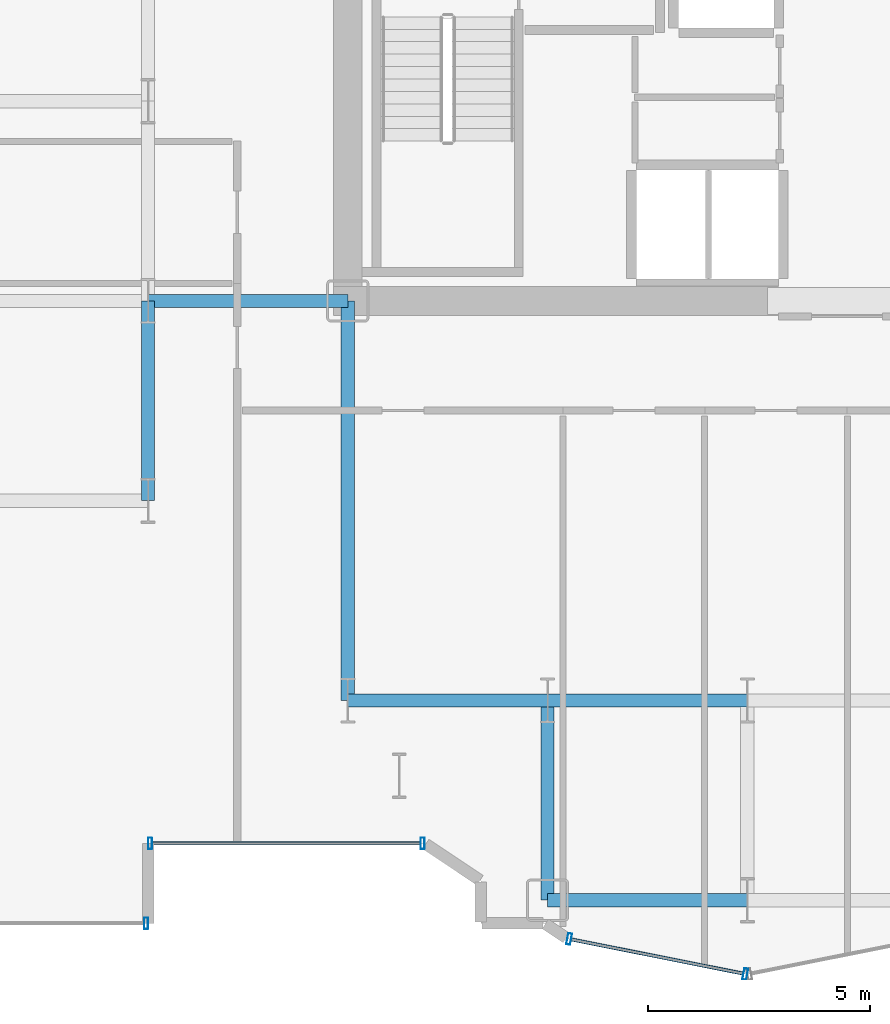
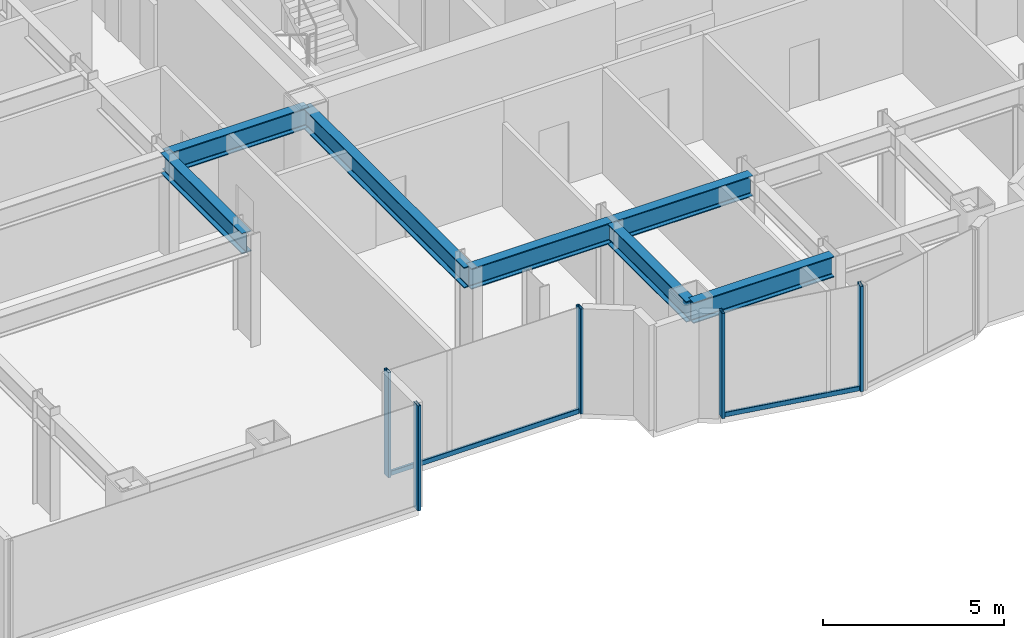
# One storey, part 4 of 25: 7 beams, 7 members, 3 elements without a shape of their own.
"""IFC4 building model written with IfcOpenShell, lengths in metres."""

from ifc_helpers import new_model, si_unit, direction, frame, origin, origin_2d, place, context, subcontext, project, spatial, hollow_rectangle, i_section, extrude, source, transform, mapped, material, layer, layer_set, material_profile, profile_set, type_object, element, aggregate, save


model = new_model("IFC4")

# Units and contexts
model_context = context("Model", 3, precision=1e-05, world=origin(), true_north=direction((0.0, 1.0)))
body_context = subcontext(model_context, "Body", "Model", "MODEL_VIEW")
ifc_project = project(units=[si_unit("LENGTHUNIT", "METRE"), si_unit("AREAUNIT", "SQUARE_METRE"), si_unit("VOLUMEUNIT", "CUBIC_METRE"), si_unit("PLANEANGLEUNIT", "RADIAN"), si_unit("MASSUNIT", "GRAM", prefix="KILO")], contexts=[model_context])

# Site, building, storey
site_placement = place(None, origin())
site = spatial("IfcSite", under=ifc_project, at=site_placement, CompositionType="ELEMENT")
building_placement = place(site_placement, origin())
building = spatial("IfcBuilding", under=site, at=building_placement, Name="Nefas-Gora Pilgrimage Tower", CompositionType="ELEMENT")
storey_placement = place(building_placement, frame((0.0, 0.0, 74.800048828125)))
storey = spatial("IfcBuildingStorey", under=building, at=storey_placement, Name="L17", CompositionType="ELEMENT", Elevation=74.800048828125)

# Beams
ifc_material_1 = material(Name="Steel S355", Category="steel")
ifc_material_profile_1 = material_profile(ifc_material_1, i_section(OverallWidth=0.300048828125, OverallDepth=0.699951171875, WebThickness=0.01708984375, FlangeThickness=0.031982421875, FilletRadius=0.027099609375, at=origin_2d()), Name="HEB 700")
ifc_profile_set_1 = profile_set([ifc_material_profile_1], Name="Steel S355")
beam_type = type_object("IfcBeamType", Name="BM-GIR-HEB700", PredefinedType="BEAM", material=ifc_profile_set_1)
shared_shape_1 = source(origin(), body_context, "Body", "SweptSolid", [
    extrude(i_section(OverallWidth=0.300048828125, OverallDepth=0.699951171875, WebThickness=0.01708984375, FlangeThickness=0.031982421875, FilletRadius=0.027099609375, at=origin_2d()), origin(), (0.0, 0.0, 1.0), 9.0),
])
beam_placement = place(storey_placement, frame((-11.25, -18.0, 3.199951171875), z_axis=(0.0, 1.0, 0.0), x_axis=(-1.0, 0.0, 0.0)))
element("IfcBeam", 1, at=beam_placement, inside=storey, type_object=beam_type, Name="L17 G-02 beam", PredefinedType="BEAM", context=body_context, shape_type="MappedRepresentation", body=[
    mapped(shared_shape_1, transform((0.0, 0.0, 0.0), x_axis=(1.0, 0.0, 0.0), y_axis=(0.0, 1.0, 0.0), z_axis=(0.0, 0.0, 1.0), scale=1.0)),
])
shared_shape_2 = source(origin(), body_context, "Body", "SweptSolid", [
    extrude(i_section(OverallWidth=0.300048828125, OverallDepth=0.699951171875, WebThickness=0.01708984375, FlangeThickness=0.031982421875, FilletRadius=0.027099609375, at=origin_2d()), origin(), (0.0, 0.0, 1.0), 4.5),
])
for number, where, z_axis, x_axis, name in (
    (2, (-15.75, -13.5, 3.199951171875), (0.0, 1.0, 0.0), (-1.0, 0.0, 0.0), "L17 G-02 beam"),
    (3, (-15.75, -9.0, 3.199951171875), (1.0, 0.0, 0.0), (0.0, 1.0, 0.0), "L17 G-02 beam"),
    (4, (-11.25, -18.0, 3.199951171875), (1.0, 0.0, 0.0), (0.0, 1.0, 0.0), "L17 G-02 beam"),
    (5, (-6.75, -22.5, 3.199951171875), (0.0, 1.0, 0.0), (-1.0, 0.0, 0.0), "L17 G-02 beam"),
    (6, (-6.75, -22.5, 3.199951171875), (1.0, 0.0, 0.0), (0.0, 1.0, 0.0), "L17 G-02 beam"),
    (7, (-6.75, -18.0, 3.199951171875), (1.0, 0.0, 0.0), (0.0, 1.0, 0.0), "L17 G-02 beam"),
):
    element("IfcBeam", number, at=place(storey_placement, frame(where, z_axis=z_axis, x_axis=x_axis)), inside=storey, type_object=beam_type, Name=name, PredefinedType="BEAM", context=body_context, shape_type="MappedRepresentation", body=[
        mapped(shared_shape_2, transform((0.0, 0.0, 0.0), x_axis=(1.0, 0.0, 0.0), y_axis=(0.0, 1.0, 0.0), z_axis=(0.0, 0.0, 1.0), scale=1.0)),
    ])

# Curtain wall, members
ifc_material_2 = material(Name="Dark ceramic-fritted solar-control aluminium-glass curtain wall", Category="aluminium")
ifc_layer_1 = layer(ifc_material_2, 0.219970703125)
ifc_layer_set_1 = layer_set([ifc_layer_1], Name="Dark ceramic-fritted solar-control aluminium-glass curtain wall")
curtain_wall_type_1 = type_object("IfcCurtainWallType", Name="CW-SYS-5", PredefinedType="NOTDEFINED", material=ifc_layer_set_1)
curtain_wall_1_placement = place(storey_placement, origin())
curtain_wall_1 = element("IfcCurtainWall", 8, at=curtain_wall_1_placement, inside=storey, type_object=curtain_wall_type_1, Name="L17 Unitised Curtain Wall CW5", PredefinedType="NOTDEFINED")
ifc_material_3 = material(Name="Anodised architectural aluminium", Category="aluminium")
ifc_material_profile_2 = material_profile(ifc_material_3, hollow_rectangle(XDim=0.090087890625, YDim=0.260009765625, WallThickness=0.006103515625, InnerFilletRadius=0.006103515625, OuterFilletRadius=0.011962890625, at=origin_2d()), Name="ALU MULLION 90x260")
ifc_profile_set_2 = profile_set([ifc_material_profile_2], Name="Anodised architectural aluminium")
member_type_1 = type_object("IfcMemberType", Name="CWM-MUL-5", PredefinedType="MULLION", material=ifc_profile_set_2)
shared_shape_3 = source(origin(), body_context, "Body", "SweptSolid", [
    extrude(hollow_rectangle(XDim=0.090087890625, YDim=0.260009765625, WallThickness=0.006103515625, InnerFilletRadius=0.006103515625, OuterFilletRadius=0.011962890625, at=origin_2d()), origin(), (0.0, 0.0, 1.0), 3.550048828125),
])
member_1_placement = place(storey_placement, frame((-15.705078125, -21.219970703125, 0.0), z_axis=(0.0, 0.0, 1.0), x_axis=(1.0, 0.0, 0.0)))
member_1 = element("IfcMember", 9, at=member_1_placement, type_object=member_type_1, Name="CW5 Mullion 1", PredefinedType="MULLION", context=body_context, shape_type="MappedRepresentation", body=[
    mapped(shared_shape_3, transform((0.0, 0.0, 0.0), x_axis=(1.0, 0.0, 0.0), y_axis=(0.0, 1.0, 0.0), z_axis=(0.0, 0.0, 1.0), scale=1.0)),
])
member_2_placement = place(storey_placement, frame((-9.56298828125, -21.219970703125, 0.0), z_axis=(0.0, 0.0, 1.0), x_axis=(1.0, 0.0, 0.0)))
member_2 = element("IfcMember", 10, at=member_2_placement, type_object=member_type_1, Name="CW5 Mullion 2", PredefinedType="MULLION", context=body_context, shape_type="MappedRepresentation", body=[
    mapped(shared_shape_3, transform((0.0, 0.0, 0.0), x_axis=(1.0, 0.0, 0.0), y_axis=(0.0, 1.0, 0.0), z_axis=(0.0, 0.0, 1.0), scale=1.0)),
])

curtain_wall_2_placement = place(storey_placement, origin())
curtain_wall_2 = element("IfcCurtainWall", 11, at=curtain_wall_2_placement, inside=storey, type_object=curtain_wall_type_1, Name="L17 Unitised Curtain Wall CW5", PredefinedType="NOTDEFINED")
member_3_placement = place(storey_placement, frame((-6.26318359375, -23.3740234375, 0.0), z_axis=(0.0, 0.0, 1.0), x_axis=(0.980782896852, -0.195102304554, 0.0)))
member_3 = element("IfcMember", 12, at=member_3_placement, type_object=member_type_1, Name="CW5 Mullion 1", PredefinedType="MULLION", context=body_context, shape_type="MappedRepresentation", body=[
    mapped(shared_shape_3, transform((0.0, 0.0, 0.0), x_axis=(1.0, 0.0, 0.0), y_axis=(0.0, 1.0, 0.0), z_axis=(0.0, 0.0, 1.0), scale=1.0)),
])
member_4_placement = place(storey_placement, frame((-2.294189453125, -24.16357421875, 0.0), z_axis=(0.0, 0.0, 1.0), x_axis=(0.980782896852, -0.195102304554, 0.0)))
member_4 = element("IfcMember", 13, at=member_4_placement, type_object=member_type_1, Name="CW5 Mullion 2", PredefinedType="MULLION", context=body_context, shape_type="MappedRepresentation", body=[
    mapped(shared_shape_3, transform((0.0, 0.0, 0.0), x_axis=(1.0, 0.0, 0.0), y_axis=(0.0, 1.0, 0.0), z_axis=(0.0, 0.0, 1.0), scale=1.0)),
])

# Member
ifc_material_profile_3 = material_profile(ifc_material_3, hollow_rectangle(XDim=0.080078125, YDim=0.159912109375, WallThickness=0.00439453125, InnerFilletRadius=0.00439453125, OuterFilletRadius=0.009033203125, at=origin_2d()), Name="ALU TRANSOM 80x160")
ifc_profile_set_3 = profile_set([ifc_material_profile_3], Name="Anodised architectural aluminium")
member_type_2 = type_object("IfcMemberType", Name="CWM-TRN-5", PredefinedType="USERDEFINED", material=ifc_profile_set_3)
shared_shape_4 = source(origin(), body_context, "Body", "SweptSolid", [
    extrude(hollow_rectangle(XDim=0.080078125, YDim=0.159912109375, WallThickness=0.00439453125, InnerFilletRadius=0.00439453125, OuterFilletRadius=0.009033203125, at=origin_2d()), origin(), (0.0, 0.0, 1.0), 6.052001953125),
])
member_5_placement = place(storey_placement, frame((-15.659912109375, -21.219970703125, 0.050048828125), z_axis=(1.0, 0.0, 0.0), x_axis=(0.0, 1.0, 0.0)))
member_5 = element("IfcMember", 14, at=member_5_placement, type_object=member_type_2, Name="CW5 Spandrel Transom", ObjectType="TRANSOM", PredefinedType="USERDEFINED", context=body_context, shape_type="MappedRepresentation", body=[
    mapped(shared_shape_4, transform((0.0, 0.0, 0.0), x_axis=(1.0, 0.0, 0.0), y_axis=(0.0, 1.0, 0.0), z_axis=(0.0, 0.0, 1.0), scale=1.0)),
])

aggregate(curtain_wall_1, [member_1, member_2, member_5])

# Curtain wall, member
ifc_layer_2 = layer(ifc_material_2, 0.219970703125)
ifc_layer_set_2 = layer_set([ifc_layer_2], Name="Dark ceramic-fritted solar-control aluminium-glass curtain wall")
curtain_wall_type_2 = type_object("IfcCurtainWallType", Name="CW-SYS-2", PredefinedType="NOTDEFINED", material=ifc_layer_set_2)
curtain_wall_3_placement = place(storey_placement, origin())
curtain_wall_3 = element("IfcCurtainWall", 15, at=curtain_wall_3_placement, inside=storey, type_object=curtain_wall_type_2, Name="L17 Unitised Curtain Wall CW2", PredefinedType="NOTDEFINED")
ifc_material_profile_4 = material_profile(ifc_material_3, hollow_rectangle(XDim=0.090087890625, YDim=0.260009765625, WallThickness=0.006103515625, InnerFilletRadius=0.006103515625, OuterFilletRadius=0.011962890625, at=origin_2d()), Name="ALU MULLION 90x260")
ifc_profile_set_4 = profile_set([ifc_material_profile_4], Name="Anodised architectural aluminium")
member_type_3 = type_object("IfcMemberType", Name="CWM-MUL-2", PredefinedType="MULLION", material=ifc_profile_set_4)
shared_shape_5 = source(origin(), body_context, "Body", "SweptSolid", [
    extrude(hollow_rectangle(XDim=0.090087890625, YDim=0.260009765625, WallThickness=0.006103515625, InnerFilletRadius=0.006103515625, OuterFilletRadius=0.011962890625, at=origin_2d()), origin(), (0.0, 0.0, 1.0), 3.550048828125),
])
member_6_placement = place(storey_placement, frame((-15.794921875, -23.02001953125, 0.0), z_axis=(0.0, 0.0, 1.0), x_axis=(1.0, 0.0, 0.0)))
member_6 = element("IfcMember", 16, at=member_6_placement, type_object=member_type_3, Name="CW2 Mullion 2", PredefinedType="MULLION", context=body_context, shape_type="MappedRepresentation", body=[
    mapped(shared_shape_5, transform((0.0, 0.0, 0.0), x_axis=(1.0, 0.0, 0.0), y_axis=(0.0, 1.0, 0.0), z_axis=(0.0, 0.0, 1.0), scale=1.0)),
])
aggregate(curtain_wall_3, [member_6])

# Member
shared_shape_6 = source(origin(), body_context, "Body", "SweptSolid", [
    extrude(hollow_rectangle(XDim=0.080078125, YDim=0.159912109375, WallThickness=0.00439453125, InnerFilletRadius=0.00439453125, OuterFilletRadius=0.009033203125, at=origin_2d()), origin(), (0.0, 0.0, 1.0), 3.95654296875),
])
member_7_placement = place(storey_placement, frame((-6.218994140625, -23.3828125, 0.050048828125), z_axis=(0.980781880918, -0.195107411605, 0.0), x_axis=(0.195107411605, 0.980781880918, 0.0)))
member_7 = element("IfcMember", 17, at=member_7_placement, type_object=member_type_2, Name="CW5 Spandrel Transom", ObjectType="TRANSOM", PredefinedType="USERDEFINED", context=body_context, shape_type="MappedRepresentation", body=[
    mapped(shared_shape_6, transform((0.0, 0.0, 0.0), x_axis=(1.0, 0.0, 0.0), y_axis=(0.0, 1.0, 0.0), z_axis=(0.0, 0.0, 1.0), scale=1.0)),
])

aggregate(curtain_wall_2, [member_3, member_4, member_7])

save(model, "model.ifc")
